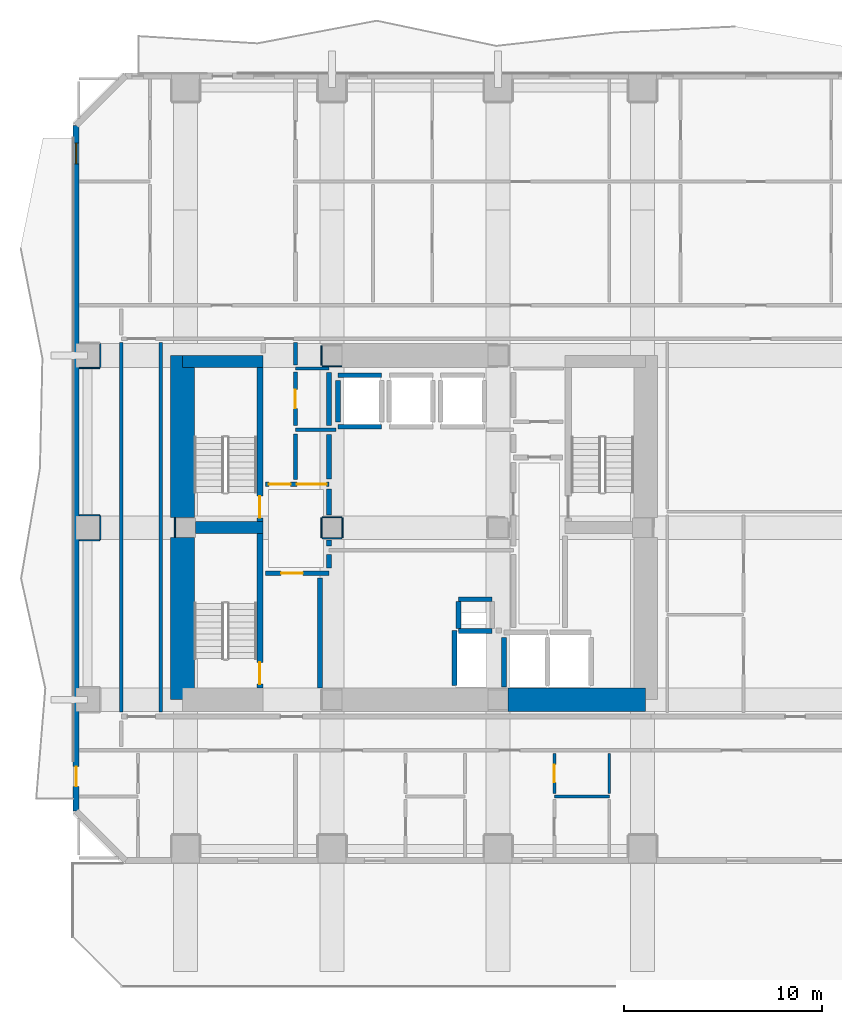
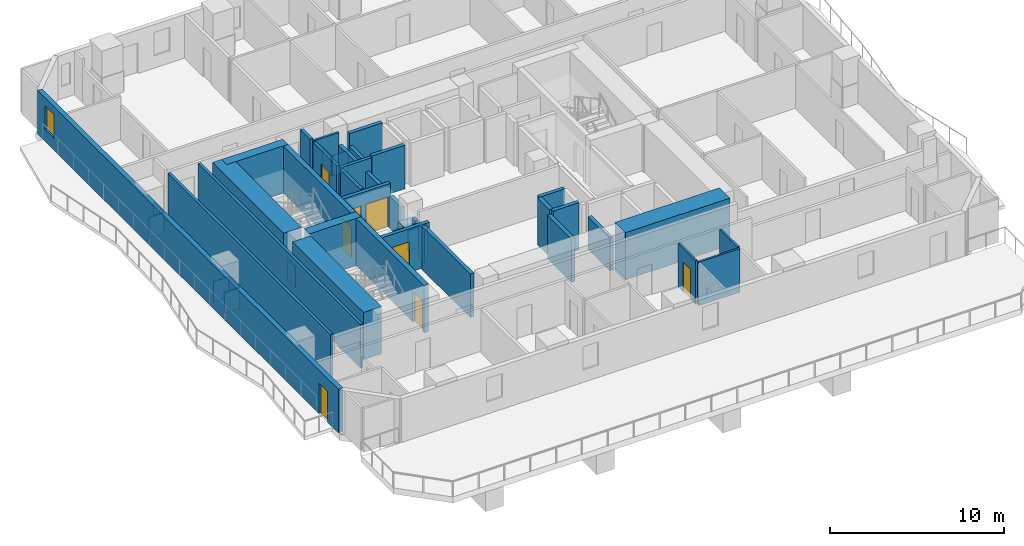
# One storey, part 3 of 11: 46 walls, 8 doors, 1 window, 9 openings.
"""IFC4 building model written with IfcOpenShell, lengths in metres."""

import ifcopenshell
import ifcopenshell.guid

model = None  # the IFC model being written
_history = None  # IfcOwnerHistory: only IFC2X3 demands one
_inside = {}  # id of a spatial element -> (the spatial element, [elements in it])
_under = {}  # id of a project, library or spatial element -> (it, [spatial elements below it])
_declared = {}  # id of a project -> (the project, [libraries it declares])
_typed = {}  # id of a type object -> (the type object, [elements of that type])
_made_of = {}  # id of a material, layer set ... -> (it, [elements and type objects made of it])


def new_model(schema):
    """Start an empty IFC model of exactly this schema.

    Asked for "IFC4X3", IfcOpenShell would pick the latest addendum, in which some entities
    have other attributes; the version numbers below select the first issue.
    IFC2X3 requires an IfcOwnerHistory on every rooted entity: one is made here for all.
    """
    global model, _history
    if schema == "IFC4X3":
        model = ifcopenshell.file(schema_version=(4, 3, 0, 0))
    else:
        model = ifcopenshell.file(schema=schema)
    _inside.clear()
    _under.clear()
    _declared.clear()
    _typed.clear()
    _made_of.clear()
    _history = None
    if model.schema == "IFC2X3":
        org = make("IfcOrganization", Name="unknown")
        user = make(
            "IfcPersonAndOrganization",
            ThePerson=make("IfcPerson", FamilyName="unknown"),
            TheOrganization=org,
        )
        app = make(
            "IfcApplication",
            ApplicationDeveloper=org,
            Version="unknown",
            ApplicationFullName="unknown",
            ApplicationIdentifier="unknown",
        )
        _history = make(
            "IfcOwnerHistory",
            OwningUser=user,
            OwningApplication=app,
            ChangeAction="ADDED",
            CreationDate=0,
        )
    return model


def make(cls, **values):
    """One entity of the class cls with the attributes given. An attribute that is None is left unset."""
    return model.create_entity(
        cls, **{name: value for name, value in values.items() if value is not None}
    )


def rooted(cls, **values):
    """An entity with a GlobalId (a new one), such as an element, a storey or a relation."""
    return make(cls, GlobalId=ifcopenshell.guid.new(), OwnerHistory=_history, **values)


def si_unit(unit_type, name, prefix=None):
    """IfcSIUnit, for example si_unit("LENGTHUNIT", "METRE", prefix="MILLI")."""
    return make("IfcSIUnit", UnitType=unit_type, Prefix=prefix, Name=name)


def assignment(units):
    """IfcUnitAssignment: the units of a project."""
    return None if units is None else make("IfcUnitAssignment", Units=units)


def point(xyz):
    """IfcCartesianPoint."""
    return None if xyz is None else make("IfcCartesianPoint", Coordinates=xyz)


def direction(xyz):
    """IfcDirection."""
    return None if xyz is None else make("IfcDirection", DirectionRatios=xyz)


def frame(location, z_axis=None, x_axis=None):
    """IfcAxis2Placement3D, a coordinate frame: its origin and axes. An axis left out is left unset."""
    return make(
        "IfcAxis2Placement3D",
        Location=point(location),
        Axis=direction(z_axis),
        RefDirection=direction(x_axis),
    )


def frame_2d(location, x_axis=None):
    """IfcAxis2Placement2D, a coordinate frame in the plane: its origin and x axis."""
    return make(
        "IfcAxis2Placement2D", Location=point(location), RefDirection=direction(x_axis)
    )


def origin():
    """The frame at (0, 0, 0) with its axes left unset."""
    return frame((0.0, 0.0, 0.0))


def place(relative_to, where):
    """IfcLocalPlacement: puts the frame where relative to a parent placement (None: the world)."""
    return make(
        "IfcLocalPlacement", PlacementRelTo=relative_to, RelativePlacement=where
    )


def context(
    kind, dimensions, precision=None, world=None, true_north=None, identifier=None
):
    """IfcGeometricRepresentationContext, for example the 3D "Model" context."""
    return make(
        "IfcGeometricRepresentationContext",
        ContextIdentifier=identifier,
        ContextType=kind,
        CoordinateSpaceDimension=dimensions,
        Precision=precision,
        WorldCoordinateSystem=world,
        TrueNorth=true_north,
    )


def subcontext(parent, identifier, kind, view, scale=None):
    """IfcGeometricRepresentationSubContext, for example "Body" below "Model"."""
    return make(
        "IfcGeometricRepresentationSubContext",
        ContextIdentifier=identifier,
        ContextType=kind,
        ParentContext=parent,
        TargetScale=scale,
        TargetView=view,
    )


def project(units=None, contexts=None):
    """IfcProject with its units and contexts."""
    return rooted(
        "IfcProject",
        Name="project",
        RepresentationContexts=contexts,
        UnitsInContext=assignment(units),
    )


def spatial(cls, under=None, at=None, **own):
    """A site, building, storey or space (cls), placed at a placement, below another one or the project."""
    s = rooted(cls, ObjectPlacement=at, **own)
    if under is not None:
        _under.setdefault(under.id(), (under, []))[1].append(s)
    return s


def profile(cls, at=None, kind="AREA", **sizes):
    """A parametric profile (cls). Its sizes go by their IFC names, for example OverallWidth=200.0."""
    return make(cls, ProfileType=kind, Position=at, **sizes)


def rectangle(**sizes):
    """IfcRectangleProfileDef."""
    return profile("IfcRectangleProfileDef", **sizes)


def extrude(swept, where, along, depth):
    """IfcExtrudedAreaSolid: the profile swept, set in the frame where, extruded along a direction by depth."""
    return make(
        "IfcExtrudedAreaSolid",
        SweptArea=swept,
        Position=where,
        ExtrudedDirection=direction(along),
        Depth=depth,
    )


def shape(context_of_items, identifier, shape_type, items):
    """IfcShapeRepresentation: the items that make up one representation, for example the "Body"."""
    return make(
        "IfcShapeRepresentation",
        ContextOfItems=context_of_items,
        RepresentationIdentifier=identifier,
        RepresentationType=shape_type,
        Items=items,
    )


def material(Name=None, Category=None):
    """IfcMaterial."""
    return make("IfcMaterial", Name=Name, Category=Category)


def layer(
    of_material, thickness, ventilated=None, Name=None, Category=None, Priority=None
):
    """IfcMaterialLayer: one layer of a wall or slab, of a material (None: an air gap)."""
    return make(
        "IfcMaterialLayer",
        Material=of_material,
        LayerThickness=thickness,
        IsVentilated=ventilated,
        Name=Name,
        Category=Category,
        Priority=Priority,
    )


def layer_set(layers, Name=None):
    """IfcMaterialLayerSet."""
    return make("IfcMaterialLayerSet", MaterialLayers=layers, LayerSetName=Name)


def made_of(thing, what):
    """Note that an element or type object is made of a material, layer set ...; save() writes the relation."""
    if what is not None:
        _made_of.setdefault(what.id(), (what, []))[1].append(thing)
    return thing


def type_object(cls, material=None, **own):
    """A type object (cls), such as IfcWallType, which elements share."""
    return made_of(rooted(cls, **own), material)


def element(
    cls,
    number,
    at=None,
    inside=None,
    cuts=None,
    type_object=None,
    material=None,
    context=None,
    identifier="Body",
    shape_type=None,
    held_by="IfcProductDefinitionShape",
    body=None,
    shapes=None,
    **own,
):
    """One element of the class cls, such as IfcWall. Its Tag is "e" and its number.

    at: its placement. inside: the storey or other place that contains it. cuts: it is an
    opening in that element (IfcRelVoidsElement). A single representation is given by context,
    identifier, shape_type and body (its items); several are given by shapes. held_by: the class
    of the entity that holds the representations. save() writes the other relations.
    """
    e = rooted(cls, Tag="e%d" % number, ObjectPlacement=at, **own)
    if body is not None:
        shapes = [shape(context, identifier, shape_type, body)]
    if shapes is not None:
        e.Representation = make(held_by, Representations=shapes)
    if inside is not None:
        _inside.setdefault(inside.id(), (inside, []))[1].append(e)
    if cuts is not None:
        rooted(
            "IfcRelVoidsElement", RelatingBuildingElement=cuts, RelatedOpeningElement=e
        )
    if type_object is not None:
        _typed.setdefault(type_object.id(), (type_object, []))[1].append(e)
    return made_of(e, material)


def fill(opening, filler):
    """IfcRelFillsElement: the door or window that sits in an opening."""
    return rooted(
        "IfcRelFillsElement",
        RelatingOpeningElement=opening,
        RelatedBuildingElement=filler,
    )


def aggregate(whole, parts):
    """IfcRelAggregates: a whole, such as a stair, and the parts it consists of."""
    return rooted("IfcRelAggregates", RelatingObject=whole, RelatedObjects=parts)


def save(model, path):
    """Write the relations noted so far, then the file.

    IfcRelAggregates (storeys below a building ...), IfcRelContainedInSpatialStructure (elements
    in a storey), IfcRelDefinesByType, IfcRelAssociatesMaterial and IfcRelDeclares: one each for
    every whole, place, type object, material and project.
    """
    for whole, parts in _under.values():
        aggregate(whole, parts)
    for where, things in _inside.values():
        rooted(
            "IfcRelContainedInSpatialStructure",
            RelatedElements=things,
            RelatingStructure=where,
        )
    for kind, things in _typed.values():
        rooted("IfcRelDefinesByType", RelatedObjects=things, RelatingType=kind)
    for what, things in _made_of.values():
        rooted("IfcRelAssociatesMaterial", RelatedObjects=things, RelatingMaterial=what)
    for by, libraries in _declared.values():
        rooted("IfcRelDeclares", RelatingContext=by, RelatedDefinitions=libraries)
    model.write(path)


model = new_model("IFC4")

# Units and contexts
model_context = context("Model", 3, precision=1e-05, world=origin(), true_north=direction((0.0, 1.0)))
body_context = subcontext(model_context, "Body", "Model", "MODEL_VIEW")
ifc_project = project(units=[si_unit("LENGTHUNIT", "METRE"), si_unit("AREAUNIT", "SQUARE_METRE"), si_unit("VOLUMEUNIT", "CUBIC_METRE"), si_unit("PLANEANGLEUNIT", "RADIAN"), si_unit("MASSUNIT", "GRAM", prefix="KILO")], contexts=[model_context])

# Site, building, storey
site_placement = place(None, origin())
site = spatial("IfcSite", under=ifc_project, at=site_placement, CompositionType="ELEMENT")
building_placement = place(site_placement, origin())
building = spatial("IfcBuilding", under=site, at=building_placement, Name="Solanera Arch Residences", CompositionType="ELEMENT")
storey_placement = place(building_placement, frame((0.0, 0.0, 61.840087890625)))
storey = spatial("IfcBuildingStorey", under=building, at=storey_placement, Name="L17", CompositionType="ELEMENT", Elevation=61.840087890625)

# Walls
ifc_material_1 = material(Name="Fire-Rated Gypsum Stud Partition", Category="gypsum")
ifc_layer_1 = layer(ifc_material_1, 0.06005859375)
ifc_layer_set_1 = layer_set([ifc_layer_1], Name="Fire-Rated Gypsum Stud Partition")
wall_type_1 = type_object("IfcWallType", Name="Column Acoustic Furring Wall 60", PredefinedType="PARTITIONING", material=ifc_layer_set_1)
wall_1_placement = place(storey_placement, frame((20.300048828125, 38.867919921875, 0.0), z_axis=(0.0, 0.0, 1.0), x_axis=(1.0, 0.0, 0.0)))
element("IfcWall", 1, at=wall_1_placement, inside=storey, type_object=wall_type_1, Name="L17 Column Furring 3S", PredefinedType="PARTITIONING", context=body_context, shape_type="SweptSolid", body=[
    extrude(rectangle(XDim=0.989990234375, YDim=0.06005859375, at=frame_2d((0.4951171875, 0.0))), origin(), (0.0, 0.0, 1.0), 1.449951171875),
])
wall_2_placement = place(storey_placement, frame((20.26806640625, 38.89990234375, 0.0), z_axis=(0.0, 0.0, 1.0), x_axis=(0.0, 1.0, 0.0)))
element("IfcWall", 2, at=wall_2_placement, inside=storey, type_object=wall_type_1, Name="L17 Column Furring 3W", PredefinedType="PARTITIONING", context=body_context, shape_type="SweptSolid", body=[
    extrude(rectangle(XDim=1.0, YDim=0.06005859375, at=frame_2d((0.5, 0.0))), origin(), (0.0, 0.0, 1.0), 1.449951171875),
])
wall_3_placement = place(storey_placement, frame((12.867919921875, 30.2099609375, 0.0), z_axis=(0.0, 0.0, 1.0), x_axis=(0.0, 1.0, 0.0)))
element("IfcWall", 3, at=wall_3_placement, inside=storey, type_object=wall_type_1, Name="L17 Column Furring 5W", PredefinedType="PARTITIONING", context=body_context, shape_type="SweptSolid", body=[
    extrude(rectangle(XDim=0.97998046875, YDim=0.06005859375, at=frame_2d((0.489990234375, 0.0))), origin(), (0.0, 0.0, 1.0), 1.449951171875),
])
for number, where, z_axis, x_axis, name in (
    (4, (20.300048828125, 30.16796875, 0.0), (0.0, 0.0, 1.0), (1.0, 0.0, 0.0), "L17 Column Furring 7S"),
    (5, (20.300048828125, 31.23193359375, 0.0), (0.0, 0.0, 1.0), (1.0, 0.0, 0.0), "L17 Column Furring 7N"),
    (6, (20.26806640625, 30.199951171875, 0.0), (0.0, 0.0, 1.0), (0.0, 1.0, 0.0), "L17 Column Furring 7W"),
    (7, (21.33203125, 30.199951171875, 0.0), (0.0, 0.0, 1.0), (0.0, 1.0, 0.0), "L17 Column Furring 7E"),
):
    element("IfcWall", number, at=place(storey_placement, frame(where, z_axis=z_axis, x_axis=x_axis)), inside=storey, type_object=wall_type_1, Name=name, PredefinedType="PARTITIONING", context=body_context, shape_type="SweptSolid", body=[
        extrude(rectangle(XDim=1.0, YDim=0.06005859375, at=frame_2d((0.5, 0.0))), origin(), (0.0, 0.0, 1.0), 1.449951171875),
    ])
for number, where, z_axis, x_axis, name in (
    (8, (8.030029296875, 30.068115234375, 0.0), (0.0, 0.0, 1.0), (1.0, 0.0, 0.0), "L17 Column Furring 19S"),
    (9, (8.030029296875, 31.33203125, 0.0), (0.0, 0.0, 1.0), (1.0, 0.0, 0.0), "L17 Column Furring 19N"),
):
    element("IfcWall", number, at=place(storey_placement, frame(where, z_axis=z_axis, x_axis=x_axis)), inside=storey, type_object=wall_type_1, Name=name, PredefinedType="PARTITIONING", context=body_context, shape_type="SweptSolid", body=[
        extrude(rectangle(XDim=1.02001953125, YDim=0.06005859375, at=frame_2d((0.510009765625, 0.0))), origin(), (0.0, 0.0, 1.0), 1.449951171875),
    ])
wall_4_placement = place(storey_placement, frame((9.08203125, 30.10009765625, 0.0), z_axis=(0.0, 0.0, 1.0), x_axis=(0.0, 1.0, 0.0)))
element("IfcWall", 10, at=wall_4_placement, inside=storey, type_object=wall_type_1, Name="L17 Column Furring 19E", PredefinedType="PARTITIONING", context=body_context, shape_type="SweptSolid", body=[
    extrude(rectangle(XDim=1.199951171875, YDim=0.06005859375, at=frame_2d((0.60009765625, 0.0))), origin(), (0.0, 0.0, 1.0), 1.449951171875),
])
wall_5_placement = place(storey_placement, frame((8.030029296875, 38.76806640625, 0.0), z_axis=(0.0, 0.0, 1.0), x_axis=(1.0, 0.0, 0.0)))
element("IfcWall", 11, at=wall_5_placement, inside=storey, type_object=wall_type_1, Name="L17 Column Furring 21S", PredefinedType="PARTITIONING", context=body_context, shape_type="SweptSolid", body=[
    extrude(rectangle(XDim=1.02001953125, YDim=0.06005859375, at=frame_2d((0.510009765625, 0.0))), origin(), (0.0, 0.0, 1.0), 1.449951171875),
])
wall_6_placement = place(storey_placement, frame((9.08203125, 38.800048828125, 0.0), z_axis=(0.0, 0.0, 1.0), x_axis=(0.0, 1.0, 0.0)))
element("IfcWall", 12, at=wall_6_placement, inside=storey, type_object=wall_type_1, Name="L17 Column Furring 21E", PredefinedType="PARTITIONING", context=body_context, shape_type="SweptSolid", body=[
    extrude(rectangle(XDim=1.199951171875, YDim=0.06005859375, at=frame_2d((0.60009765625, 0.0))), origin(), (0.0, 0.0, 1.0), 1.449951171875),
])
ifc_material_2 = material(Name="Concrete C55/67 (f'c = 60 MPa)", Category="concrete")
ifc_layer_2 = layer(ifc_material_2, 1.199951171875)
ifc_layer_set_2 = layer_set([ifc_layer_2], Name="Concrete C55/67 (f'c = 60 MPa)")
wall_type_2 = type_object("IfcWallType", Name="Core Shear Wall CW-1200", PredefinedType="SHEAR", material=ifc_layer_set_2)
wall_7_placement = place(storey_placement, frame((13.239990234375, 22.0, 0.0), z_axis=(0.0, 0.0, 1.0), x_axis=(0.0, 1.0, 0.0)))
element("IfcWall", 13, at=wall_7_placement, inside=storey, type_object=wall_type_2, Name="L17 West Core South Shear Wall", PredefinedType="SHEAR", context=body_context, shape_type="SweptSolid", body=[
    extrude(rectangle(XDim=8.195068359375, YDim=1.199951171875, at=frame_2d((4.09765625, 0.0))), origin(), (0.0, 0.0, 1.0), 3.31982421875),
])
wall_8_placement = place(storey_placement, frame((13.239990234375, 31.205078125, 0.0), z_axis=(0.0, 0.0, 1.0), x_axis=(0.0, 1.0, 0.0)))
element("IfcWall", 14, at=wall_8_placement, inside=storey, type_object=wall_type_2, Name="L17 West Core North Shear Wall", PredefinedType="SHEAR", context=body_context, shape_type="SweptSolid", body=[
    extrude(rectangle(XDim=8.19482421875, YDim=1.199951171875, at=frame_2d((4.097412109375, 0.0))), origin(), (0.0, 0.0, 1.0), 3.31982421875),
])
wall_9_placement = place(storey_placement, frame((29.705078125, 22.0, 0.0), z_axis=(0.0, 0.0, 1.0), x_axis=(1.0, 0.0, 0.0)))
element("IfcWall", 15, at=wall_9_placement, inside=storey, type_object=wall_type_2, Name="L17 South-East Core Shear Wall", PredefinedType="SHEAR", context=body_context, shape_type="SweptSolid", body=[
    extrude(rectangle(XDim=6.954833984375, YDim=1.199951171875, at=frame_2d((3.4775390625, 0.0))), origin(), (0.0, 0.0, 1.0), 3.31982421875),
])

# Wall, opening, door
ifc_material_3 = material(Name="Concrete C40/50 (f'c = 45 MPa)", Category="concrete")
ifc_layer_3 = layer(ifc_material_3, 0.320068359375)
ifc_layer_set_3 = layer_set([ifc_layer_3], Name="Concrete C40/50 (f'c = 45 MPa)")
wall_type_3 = type_object("IfcWallType", Name="Core Shear Wall CW-320", PredefinedType="SHEAR", material=ifc_layer_set_3)
wall_10_placement = place(storey_placement, frame((17.159912109375, 31.0, 0.0), z_axis=(0.0, 0.0, 1.0), x_axis=(0.0, 1.0, 0.0)))
wall_10 = element("IfcWall", 16, at=wall_10_placement, inside=storey, type_object=wall_type_3, Name="L17 Stair ST-T1 East Shear Wall", PredefinedType="SHEAR", context=body_context, shape_type="SweptSolid", body=[
    extrude(rectangle(XDim=7.800048828125, YDim=0.320068359375, at=frame_2d((3.89990234375, 0.0))), origin(), (0.0, 0.0, 1.0), 3.31982421875),
])
opening_1_placement = place(wall_10_placement, frame((0.18994140625, 0.0, 0.0)))
opening_1 = element("IfcOpeningElement", 17, at=opening_1_placement, cuts=wall_10, Name="Opening DF-01", PredefinedType="OPENING", context=body_context, shape_type="SweptSolid", body=[
    extrude(rectangle(XDim=1.10009765625, YDim=2.14990234375, at=frame_2d((0.550048828125, 1.074951171875))), frame((0.0, 0.169921875, 0.0), z_axis=(0.0, -1.0, 0.0), x_axis=(1.0, 0.0, 0.0)), (0.0, 0.0, 1.0), 0.3401),
])
ifc_material_4 = material(Name="Fire-Rated Architectural Hardwood", Category="wood")
door_type_1 = type_object("IfcDoorType", Name="Stair Exit Fire Door DF-01", OperationType="NOTDEFINED", PredefinedType="DOOR", material=ifc_material_4)
door_1_placement = place(opening_1_placement, origin())
door_1 = element("IfcDoor", 18, at=door_1_placement, inside=storey, type_object=door_type_1, Name="DR-L17-STAIR-ST-T1", OperationType="SINGLE_SWING_LEFT", OverallHeight=2.14990234375, OverallWidth=1.10009765625, PredefinedType="DOOR", context=body_context, shape_type="SweptSolid", body=[
    extrude(rectangle(XDim=1.10009765625, YDim=2.14990234375, at=frame_2d((0.550048828125, 1.074951171875))), frame((0.0, 0.02490234375, 0.0), z_axis=(0.0, -1.0, 0.0), x_axis=(1.0, 0.0, 0.0)), (0.0, 0.0, 1.0), 0.050048828125),
])
fill(opening_1, door_1)

wall_11_placement = place(storey_placement, frame((17.159912109375, 22.60009765625, 0.0), z_axis=(0.0, 0.0, 1.0), x_axis=(0.0, 1.0, 0.0)))
wall_11 = element("IfcWall", 19, at=wall_11_placement, inside=storey, type_object=wall_type_3, Name="L17 Stair ST-T3 East Shear Wall", PredefinedType="SHEAR", context=body_context, shape_type="SweptSolid", body=[
    extrude(rectangle(XDim=7.7998046875, YDim=0.320068359375, at=frame_2d((3.89990234375, 0.0))), origin(), (0.0, 0.0, 1.0), 3.31982421875),
])
opening_2_placement = place(wall_11_placement, frame((0.18994140625, 0.0, 0.0)))
opening_2 = element("IfcOpeningElement", 20, at=opening_2_placement, cuts=wall_11, Name="Opening DF-01", PredefinedType="OPENING", context=body_context, shape_type="SweptSolid", body=[
    extrude(rectangle(XDim=1.10009765625, YDim=2.14990234375, at=frame_2d((0.550048828125, 1.074951171875))), frame((0.0, 0.169921875, 0.0), z_axis=(0.0, -1.0, 0.0), x_axis=(1.0, 0.0, 0.0)), (0.0, 0.0, 1.0), 0.3401),
])
door_2_placement = place(opening_2_placement, origin())
door_2 = element("IfcDoor", 21, at=door_2_placement, inside=storey, type_object=door_type_1, Name="DR-L17-STAIR-ST-T3", OperationType="SINGLE_SWING_LEFT", OverallHeight=2.14990234375, OverallWidth=1.10009765625, PredefinedType="DOOR", context=body_context, shape_type="SweptSolid", body=[
    extrude(rectangle(XDim=1.10009765625, YDim=2.14990234375, at=frame_2d((0.550048828125, 1.074951171875))), frame((0.0, 0.02490234375, 0.0), z_axis=(0.0, -1.0, 0.0), x_axis=(1.0, 0.0, 0.0)), (0.0, 0.0, 1.0), 0.050048828125),
])
fill(opening_2, door_2)

# Walls
ifc_material_5 = material(Name="Concrete C40/50 (f'c = 45 MPa)", Category="concrete")
ifc_layer_4 = layer(ifc_material_5, 0.60009765625)
ifc_layer_set_4 = layer_set([ifc_layer_4], Name="Concrete C40/50 (f'c = 45 MPa)")
wall_type_4 = type_object("IfcWallType", Name="Core Shear Wall CW-600", PredefinedType="SHEAR", material=ifc_layer_set_4)
wall_12_placement = place(storey_placement, frame((13.239990234375, 39.10009765625, 0.0), z_axis=(0.0, 0.0, 1.0), x_axis=(1.0, 0.0, 0.0)))
element("IfcWall", 22, at=wall_12_placement, inside=storey, type_object=wall_type_4, Name="L17 North-West Core Shear Wall", PredefinedType="SHEAR", context=body_context, shape_type="SweptSolid", body=[
    extrude(rectangle(XDim=4.080078125, YDim=0.60009765625, at=frame_2d((2.0400390625, 0.0))), origin(), (0.0, 0.0, 1.0), 3.31982421875),
])
wall_13_placement = place(storey_placement, frame((13.905029296875, 30.699951171875, 0.0), z_axis=(0.0, 0.0, 1.0), x_axis=(1.0, 0.0, 0.0)))
element("IfcWall", 23, at=wall_13_placement, inside=storey, type_object=wall_type_4, Name="L17 West Stair Divider Shear Wall", PredefinedType="SHEAR", context=body_context, shape_type="SweptSolid", body=[
    extrude(rectangle(XDim=3.4150390625, YDim=0.60009765625, at=frame_2d((1.70751953125, 0.0))), origin(), (0.0, 0.0, 1.0), 3.31982421875),
])
ifc_material_6 = material(Name="Autoclaved Aerated Concrete Blockwork", Category="masonry")
ifc_layer_5 = layer(ifc_material_6, 0.179931640625)
ifc_layer_set_5 = layer_set([ifc_layer_5], Name="Autoclaved Aerated Concrete Blockwork")
wall_type_5 = type_object("IfcWallType", Name="Corridor Fire Partition 180", PredefinedType="PARTITIONING", material=ifc_layer_set_5)
for number, where, z_axis, x_axis, name in (
    (24, (10.14990234375, 21.367919921875, 0.0), (0.0, 0.0, 1.0), (0.0, 1.0, 0.0), "L17 Interior Partition V9 2"),
    (25, (12.14990234375, 21.367919921875, 0.0), (0.0, 0.0, 1.0), (0.0, 1.0, 0.0), "L17 Interior Partition V10"),
):
    element("IfcWall", number, at=place(storey_placement, frame(where, z_axis=z_axis, x_axis=x_axis)), inside=storey, type_object=wall_type_5, Name=name, PredefinedType="PARTITIONING", context=body_context, shape_type="SweptSolid", body=[
        extrude(rectangle(XDim=18.694091796875, YDim=0.179931640625, at=frame_2d((9.34716796875, 0.0))), origin(), (0.0, 0.0, 1.0), 3.059814453125),
    ])

# Wall, openings, door, window
ifc_material_7 = material(Name="Precast Concrete C35/45", Category="concrete")
ifc_layer_6 = layer(ifc_material_7, 0.300048828125)
ifc_layer_set_6 = layer_set([ifc_layer_6], Name="Precast Concrete C35/45")
wall_type_6 = type_object("IfcWallType", Name="Exterior Wall Precast Masonry-Frame 300", PredefinedType="STANDARD", material=ifc_layer_set_6)
wall_14_placement = place(storey_placement, frame((7.864990234375, 16.364990234375, 0.0), z_axis=(0.0, 0.0, 1.0), x_axis=(0.0, 1.0, 0.0)))
wall_14 = element("IfcWall", 26, at=wall_14_placement, inside=storey, type_object=wall_type_6, Name="L17 Tower Exterior Precast Masonry-Frame Wall W", PredefinedType="STANDARD", context=body_context, shape_type="SweptSolid", body=[
    extrude(rectangle(XDim=34.669921875, YDim=0.300048828125, at=frame_2d((17.3349609375, 0.0))), origin(), (0.0, 0.0, 1.0), 3.059814453125),
])
opening_3_placement = place(wall_14_placement, frame((1.2509765625, 0.0, 0.0)))
opening_3 = element("IfcOpeningElement", 27, at=opening_3_placement, cuts=wall_14, Name="Opening DB-01", PredefinedType="OPENING", context=body_context, shape_type="SweptSolid", body=[
    extrude(rectangle(XDim=1.0, YDim=2.14990234375, at=frame_2d((0.5, 1.074951171875))), frame((0.0, 0.159912109375, 0.0), z_axis=(0.0, -1.0, 0.0), x_axis=(1.0, 0.0, 0.0)), (0.0, 0.0, 1.0), 0.32),
])
opening_4_placement = place(wall_14_placement, frame((32.73291015625, 0.0, 0.85009765625)))
opening_4 = element("IfcOpeningElement", 28, at=opening_4_placement, cuts=wall_14, Name="Opening W-07", PredefinedType="OPENING", context=body_context, shape_type="SweptSolid", body=[
    extrude(rectangle(XDim=1.050048828125, YDim=1.64990234375, at=frame_2d((0.52490234375, 0.824951171875))), frame((0.0, 0.159912109375, 0.0), z_axis=(0.0, -1.0, 0.0), x_axis=(1.0, 0.0, 0.0)), (0.0, 0.0, 1.0), 0.32),
])
ifc_material_8 = material(Name="Anodised Aluminium Alloy 6063-T6", Category="aluminium")
door_type_2 = type_object("IfcDoorType", Name="Glazed Balcony Swing Door DB-01", OperationType="NOTDEFINED", PredefinedType="DOOR", material=ifc_material_8)
door_3_placement = place(opening_3_placement, origin())
door_3 = element("IfcDoor", 29, at=door_3_placement, inside=storey, type_object=door_type_2, Name="DR-L17-OUT-04", OperationType="SINGLE_SWING_RIGHT", OverallHeight=2.14990234375, OverallWidth=1.0, PredefinedType="DOOR", context=body_context, shape_type="SweptSolid", body=[
    extrude(rectangle(XDim=1.0, YDim=2.14990234375, at=frame_2d((0.5, 1.074951171875))), frame((0.0, 0.02490234375, 0.0), z_axis=(0.0, -1.0, 0.0), x_axis=(1.0, 0.0, 0.0)), (0.0, 0.0, 1.0), 0.050048828125),
])
fill(opening_3, door_3)
ifc_material_9 = material(Name="Double Glazed Low-E Laminated Glass", Category="glass")
window_type = type_object("IfcWindowType", Name="Punched Window W-07", PartitioningType="SINGLE_PANEL", PredefinedType="WINDOW", material=ifc_material_9)
window_placement = place(opening_4_placement, origin())
window = element("IfcWindow", 30, at=window_placement, inside=storey, type_object=window_type, Name="L17 1705-BR1 Punched Window", OverallHeight=1.64990234375, OverallWidth=1.050048828125, PartitioningType="SINGLE_PANEL", PredefinedType="WINDOW", context=body_context, shape_type="SweptSolid", body=[
    extrude(rectangle(XDim=1.050048828125, YDim=1.64990234375, at=frame_2d((0.52490234375, 0.824951171875))), frame((0.0, 0.030029296875, 0.0), z_axis=(0.0, -1.0, 0.0), x_axis=(1.0, 0.0, 0.0)), (0.0, 0.0, 1.0), 0.06005859375),
])
fill(opening_4, window)

# Walls
ifc_material_10 = material(Name="Autoclaved Aerated Concrete Blockwork", Category="masonry")
ifc_layer_7 = layer(ifc_material_10, 0.199951171875)
ifc_layer_set_7 = layer_set([ifc_layer_7], Name="Autoclaved Aerated Concrete Blockwork")
wall_type_7 = type_object("IfcWallType", Name="Party Wall Acoustic 200", PredefinedType="PARTITIONING", material=ifc_layer_set_7)
wall_15_placement = place(storey_placement, frame((18.949951171875, 35.64990234375, 0.0), z_axis=(0.0, 0.0, 1.0), x_axis=(1.0, 0.0, 0.0)))
element("IfcWall", 31, at=wall_15_placement, inside=storey, type_object=wall_type_7, Name="L17 Interior Partition H6 1", PredefinedType="PARTITIONING", context=body_context, shape_type="SweptSolid", body=[
    extrude(rectangle(XDim=2.046142578125, YDim=0.199951171875, at=frame_2d((1.02294921875, 0.0))), origin(), (0.0, 0.0, 1.0), 3.059814453125),
])
wall_16_placement = place(storey_placement, frame((18.949951171875, 33.1279296875, 0.0), z_axis=(0.0, 0.0, 1.0), x_axis=(0.0, 1.0, 0.0)))
element("IfcWall", 32, at=wall_16_placement, inside=storey, type_object=wall_type_7, Name="L17 Interior Partition V7 1", PredefinedType="PARTITIONING", context=body_context, shape_type="SweptSolid", body=[
    extrude(rectangle(XDim=2.31396484375, YDim=0.199951171875, at=frame_2d((1.156982421875, 0.0))), origin(), (0.0, 0.0, 1.0), 3.059814453125),
])

# Wall, opening, door
wall_17_placement = place(storey_placement, frame((18.949951171875, 35.85791015625, 0.0), z_axis=(0.0, 0.0, 1.0), x_axis=(0.0, 1.0, 0.0)))
wall_17 = element("IfcWall", 33, at=wall_17_placement, inside=storey, type_object=wall_type_7, Name="L17 Interior Partition V7 2", PredefinedType="PARTITIONING", context=body_context, shape_type="SweptSolid", body=[
    extrude(rectangle(XDim=2.714111328125, YDim=0.199951171875, at=frame_2d((1.35693359375, 0.0))), origin(), (0.0, 0.0, 1.0), 3.059814453125),
])
opening_5_placement = place(wall_17_placement, frame((0.866943359375, 0.0, 0.0)))
opening_5 = element("IfcOpeningElement", 34, at=opening_5_placement, cuts=wall_17, Name="Opening DI-04", PredefinedType="OPENING", context=body_context, shape_type="SweptSolid", body=[
    extrude(rectangle(XDim=0.949951171875, YDim=2.10009765625, at=frame_2d((0.47509765625, 1.050048828125))), frame((0.0, 0.110107421875, 0.0), z_axis=(0.0, -1.0, 0.0), x_axis=(1.0, 0.0, 0.0)), (0.0, 0.0, 1.0), 0.22),
])
ifc_material_11 = material(Name="Fire-Rated Architectural Hardwood", Category="wood")
door_type_3 = type_object("IfcDoorType", Name="Accessible Restroom Door DI-04", OperationType="NOTDEFINED", PredefinedType="DOOR", material=ifc_material_11)
door_4_placement = place(opening_5_placement, origin())
door_4 = element("IfcDoor", 35, at=door_4_placement, inside=storey, type_object=door_type_3, Name="DR-L17-IN-014", OperationType="SINGLE_SWING_RIGHT", OverallHeight=2.10009765625, OverallWidth=0.949951171875, PredefinedType="DOOR", context=body_context, shape_type="SweptSolid", body=[
    extrude(rectangle(XDim=0.949951171875, YDim=2.10009765625, at=frame_2d((0.47509765625, 1.050048828125))), frame((0.0, 0.02490234375, 0.0), z_axis=(0.0, -1.0, 0.0), x_axis=(1.0, 0.0, 0.0)), (0.0, 0.0, 1.0), 0.050048828125),
])
fill(opening_5, door_4)

# Walls
wall_18_placement = place(storey_placement, frame((18.949951171875, 38.927978515625, 0.0), z_axis=(0.0, 0.0, 1.0), x_axis=(0.0, 1.0, 0.0)))
element("IfcWall", 36, at=wall_18_placement, inside=storey, type_object=wall_type_7, Name="L17 Interior Partition V7 3", PredefinedType="PARTITIONING", context=body_context, shape_type="SweptSolid", body=[
    extrude(rectangle(XDim=1.1240234375, YDim=0.199951171875, at=frame_2d((0.56201171875, 0.0))), origin(), (0.0, 0.0, 1.0), 3.059814453125),
])
ifc_material_12 = material(Name="Concrete C40/50 (f'c = 45 MPa)", Category="concrete")
ifc_layer_8 = layer(ifc_material_12, 0.239990234375)
ifc_layer_set_8 = layer_set([ifc_layer_8], Name="Concrete C40/50 (f'c = 45 MPa)")
wall_type_8 = type_object("IfcWallType", Name="Ramp Bearing Shear Wall RW-240", PredefinedType="SHEAR", material=ifc_layer_set_8)
for number, where, z_axis, x_axis, name in (
    (37, (27.199951171875, 25.47998046875, 0.0), (0.0, 0.0, 1.0), (1.0, 0.0, 0.0), "L17 Core MEP Riser South Shaft Wall"),
    (38, (27.199951171875, 27.080078125, 0.0), (0.0, 0.0, 1.0), (1.0, 0.0, 0.0), "L17 Core MEP Riser North Shaft Wall"),
):
    element("IfcWall", number, at=place(storey_placement, frame(where, z_axis=z_axis, x_axis=x_axis)), inside=storey, type_object=wall_type_8, Name=name, PredefinedType="SHEAR", context=body_context, shape_type="SweptSolid", body=[
        extrude(rectangle(XDim=1.699951171875, YDim=0.239990234375, at=frame_2d((0.85009765625, 0.0))), origin(), (0.0, 0.0, 1.0), 3.31982421875),
    ])
wall_19_placement = place(storey_placement, frame((27.199951171875, 25.60009765625, 0.0), z_axis=(0.0, 0.0, 1.0), x_axis=(0.0, 1.0, 0.0)))
element("IfcWall", 39, at=wall_19_placement, inside=storey, type_object=wall_type_8, Name="L17 Core MEP Riser West Shaft Wall", PredefinedType="SHEAR", context=body_context, shape_type="SweptSolid", body=[
    extrude(rectangle(XDim=1.35986328125, YDim=0.239990234375, at=frame_2d((0.679931640625, 0.0))), origin(), (0.0, 0.0, 1.0), 3.31982421875),
])
ifc_material_13 = material(Name="Autoclaved Aerated Concrete Blockwork", Category="masonry")
ifc_layer_9 = layer(ifc_material_13, 0.239990234375)
ifc_layer_set_9 = layer_set([ifc_layer_9], Name="Autoclaved Aerated Concrete Blockwork")
wall_type_9 = type_object("IfcWallType", Name="Shaft Wall Fire-Rated 240", PredefinedType="PARTITIONING", material=ifc_layer_set_9)
for number, where, z_axis, x_axis, name in (
    (40, (21.10009765625, 35.800048828125, 0.0), (0.0, 0.0, 1.0), (1.0, 0.0, 0.0), "L17 Lift PL-L1 Hoistway Wall S"),
    (41, (21.10009765625, 38.39990234375, 0.0), (0.0, 0.0, 1.0), (1.0, 0.0, 0.0), "L17 Lift PL-L1 Hoistway Wall N"),
):
    element("IfcWall", number, at=place(storey_placement, frame(where, z_axis=z_axis, x_axis=x_axis)), inside=storey, type_object=wall_type_9, Name=name, PredefinedType="PARTITIONING", context=body_context, shape_type="SweptSolid", body=[
        extrude(rectangle(XDim=2.199951171875, YDim=0.239990234375, at=frame_2d((1.10009765625, 0.0))), origin(), (0.0, 0.0, 1.0), 3.059814453125),
    ])
wall_20_placement = place(storey_placement, frame((21.10009765625, 36.048095703125, 0.0), z_axis=(0.0, 0.0, 1.0), x_axis=(0.0, 1.0, 0.0)))
element("IfcWall", 42, at=wall_20_placement, inside=storey, type_object=wall_type_9, Name="L17 Lift PL-L1 Hoistway Wall W", PredefinedType="PARTITIONING", context=body_context, shape_type="SweptSolid", body=[
    extrude(rectangle(XDim=2.10400390625, YDim=0.239990234375, at=frame_2d((1.052001953125, 0.0))), origin(), (0.0, 0.0, 1.0), 2.294921875),
])
wall_21_placement = place(storey_placement, frame((29.5, 22.632080078125, 0.0), z_axis=(0.0, 0.0, 1.0), x_axis=(0.0, 1.0, 0.0)))
element("IfcWall", 43, at=wall_21_placement, inside=storey, type_object=wall_type_9, Name="L17 Lift FFL-1 Hoistway Wall W", PredefinedType="PARTITIONING", context=body_context, shape_type="SweptSolid", body=[
    extrude(rectangle(XDim=2.52001953125, YDim=0.239990234375, at=frame_2d((1.260009765625, 0.0))), origin(), (0.0, 0.0, 1.0), 2.294921875),
])
wall_22_placement = place(storey_placement, frame((27.0, 22.72998046875, 0.0), z_axis=(0.0, 0.0, 1.0), x_axis=(0.0, 1.0, 0.0)))
element("IfcWall", 44, at=wall_22_placement, inside=storey, type_object=wall_type_9, Name="L17 Lift SVL-1 Hoistway Wall W", PredefinedType="PARTITIONING", context=body_context, shape_type="SweptSolid", body=[
    extrude(rectangle(XDim=2.76806640625, YDim=0.239990234375, at=frame_2d((1.384033203125, 0.0))), origin(), (0.0, 0.0, 1.0), 3.059814453125),
])

# Wall, opening, door
wall_23_placement = place(storey_placement, frame((17.449951171875, 28.39990234375, 0.0), z_axis=(0.0, 0.0, 1.0), x_axis=(1.0, 0.0, 0.0)))
wall_23 = element("IfcWall", 45, at=wall_23_placement, inside=storey, type_object=wall_type_9, Name="L17 Interior Partition H3", PredefinedType="PARTITIONING", context=body_context, shape_type="SweptSolid", body=[
    extrude(rectangle(XDim=3.199951171875, YDim=0.239990234375, at=frame_2d((1.60009765625, 0.0))), origin(), (0.0, 0.0, 1.0), 3.059814453125),
])
opening_6_placement = place(wall_23_placement, frame((0.783935546875, 0.0, 0.0)))
opening_6 = element("IfcOpeningElement", 46, at=opening_6_placement, cuts=wall_23, Name="Opening DF-02", PredefinedType="OPENING", context=body_context, shape_type="SweptSolid", body=[
    extrude(rectangle(XDim=1.10009765625, YDim=2.14990234375, at=frame_2d((0.550048828125, 1.074951171875))), frame((0.0, 0.1298828125, 0.0), z_axis=(0.0, -1.0, 0.0), x_axis=(1.0, 0.0, 0.0)), (0.0, 0.0, 1.0), 0.26),
])
ifc_material_14 = material(Name="Fire-Rated Architectural Hardwood", Category="wood")
door_type_4 = type_object("IfcDoorType", Name="Firefighting Lobby Fire Door DF-02", OperationType="NOTDEFINED", PredefinedType="DOOR", material=ifc_material_14)
door_5_placement = place(opening_6_placement, origin())
door_5 = element("IfcDoor", 47, at=door_5_placement, inside=storey, type_object=door_type_4, Name="DR-L17-IN-004", OperationType="SINGLE_SWING_RIGHT", OverallHeight=2.14990234375, OverallWidth=1.10009765625, PredefinedType="DOOR", context=body_context, shape_type="SweptSolid", body=[
    extrude(rectangle(XDim=1.10009765625, YDim=2.14990234375, at=frame_2d((0.550048828125, 1.074951171875))), frame((0.0, 0.02490234375, 0.0), z_axis=(0.0, -1.0, 0.0), x_axis=(1.0, 0.0, 0.0)), (0.0, 0.0, 1.0), 0.050048828125),
])
fill(opening_6, door_5)

# Wall, openings, doors
wall_24_placement = place(storey_placement, frame((17.449951171875, 32.89990234375, 0.0), z_axis=(0.0, 0.0, 1.0), x_axis=(1.0, 0.0, 0.0)))
wall_24 = element("IfcWall", 48, at=wall_24_placement, inside=storey, type_object=wall_type_9, Name="L17 Interior Partition H4", PredefinedType="PARTITIONING", context=body_context, shape_type="SweptSolid", body=[
    extrude(rectangle(XDim=3.199951171875, YDim=0.239990234375, at=frame_2d((1.60009765625, 0.0))), origin(), (0.0, 0.0, 1.0), 3.059814453125),
])
opening_7_placement = place(wall_24_placement, frame((0.158935546875, 0.0, 0.0)))
opening_7 = element("IfcOpeningElement", 49, at=opening_7_placement, cuts=wall_24, Name="Opening DF-02", PredefinedType="OPENING", context=body_context, shape_type="SweptSolid", body=[
    extrude(rectangle(XDim=1.10009765625, YDim=2.14990234375, at=frame_2d((0.550048828125, 1.074951171875))), frame((0.0, 0.1298828125, 0.0), z_axis=(0.0, -1.0, 0.0), x_axis=(1.0, 0.0, 0.0)), (0.0, 0.0, 1.0), 0.26),
])
opening_8_placement = place(wall_24_placement, frame((1.575927734375, 0.0, 0.0)))
opening_8 = element("IfcOpeningElement", 50, at=opening_8_placement, cuts=wall_24, Name="Opening DP-01", PredefinedType="OPENING", context=body_context, shape_type="SweptSolid", body=[
    extrude(rectangle(XDim=1.5, YDim=2.14990234375, at=frame_2d((0.75, 1.074951171875))), frame((0.0, 0.1298828125, 0.0), z_axis=(0.0, -1.0, 0.0), x_axis=(1.0, 0.0, 0.0)), (0.0, 0.0, 1.0), 0.26),
])
door_6_placement = place(opening_7_placement, origin())
door_6 = element("IfcDoor", 51, at=door_6_placement, inside=storey, type_object=door_type_4, Name="DR-L17-IN-005", OperationType="SINGLE_SWING_LEFT", OverallHeight=2.14990234375, OverallWidth=1.10009765625, PredefinedType="DOOR", context=body_context, shape_type="SweptSolid", body=[
    extrude(rectangle(XDim=1.10009765625, YDim=2.14990234375, at=frame_2d((0.550048828125, 1.074951171875))), frame((0.0, 0.02490234375, 0.0), z_axis=(0.0, -1.0, 0.0), x_axis=(1.0, 0.0, 0.0)), (0.0, 0.0, 1.0), 0.050048828125),
])
fill(opening_7, door_6)
ifc_material_15 = material(Name="Fire-Rated Architectural Hardwood", Category="wood")
door_type_5 = type_object("IfcDoorType", Name="Plant Double Fire Door DP-01", OperationType="NOTDEFINED", PredefinedType="DOOR", material=ifc_material_15)
door_7_placement = place(opening_8_placement, origin())
door_7 = element("IfcDoor", 52, at=door_7_placement, inside=storey, type_object=door_type_5, Name="DR-L17-IN-012", OperationType="SINGLE_SWING_RIGHT", OverallHeight=2.14990234375, OverallWidth=1.5, PredefinedType="DOOR", context=body_context, shape_type="SweptSolid", body=[
    extrude(rectangle(XDim=1.5, YDim=2.14990234375, at=frame_2d((0.75, 1.074951171875))), frame((0.0, 0.02490234375, 0.0), z_axis=(0.0, -1.0, 0.0), x_axis=(1.0, 0.0, 0.0)), (0.0, 0.0, 1.0), 0.050048828125),
])
fill(opening_8, door_7)

# Walls
wall_25_placement = place(storey_placement, frame((20.199951171875, 22.5859375, 0.0), z_axis=(0.0, 0.0, 1.0), x_axis=(0.0, 1.0, 0.0)))
element("IfcWall", 53, at=wall_25_placement, inside=storey, type_object=wall_type_9, Name="L17 Interior Partition V2", PredefinedType="PARTITIONING", context=body_context, shape_type="SweptSolid", body=[
    extrude(rectangle(XDim=5.566162109375, YDim=0.239990234375, at=frame_2d((2.783203125, 0.0))), origin(), (0.0, 0.0, 1.0), 3.059814453125),
])
wall_26_placement = place(storey_placement, frame((20.64990234375, 28.64794921875, 0.0), z_axis=(0.0, 0.0, 1.0), x_axis=(0.0, 1.0, 0.0)))
element("IfcWall", 54, at=wall_26_placement, inside=storey, type_object=wall_type_9, Name="L17 Interior Partition V3 1", PredefinedType="PARTITIONING", context=body_context, shape_type="SweptSolid", body=[
    extrude(rectangle(XDim=0.68408203125, YDim=0.239990234375, at=frame_2d((0.342041015625, 0.0))), origin(), (0.0, 0.0, 1.0), 2.294921875),
])
wall_27_placement = place(storey_placement, frame((20.64990234375, 29.76806640625, 0.0), z_axis=(0.0, 0.0, 1.0), x_axis=(0.0, 1.0, 0.0)))
element("IfcWall", 55, at=wall_27_placement, inside=storey, type_object=wall_type_9, Name="L17 Interior Partition V3 2", PredefinedType="PARTITIONING", context=body_context, shape_type="SweptSolid", body=[
    extrude(rectangle(XDim=0.300048828125, YDim=0.239990234375, at=frame_2d((0.14990234375, 0.0))), origin(), (0.0, 0.0, 1.0), 2.294921875),
])
wall_28_placement = place(storey_placement, frame((20.64990234375, 31.33203125, 0.0), z_axis=(0.0, 0.0, 1.0), x_axis=(0.0, 1.0, 0.0)))
element("IfcWall", 56, at=wall_28_placement, inside=storey, type_object=wall_type_9, Name="L17 Interior Partition V3 3", PredefinedType="PARTITIONING", context=body_context, shape_type="SweptSolid", body=[
    extrude(rectangle(XDim=1.320068359375, YDim=0.239990234375, at=frame_2d((0.66015625, 0.0))), origin(), (0.0, 0.0, 1.0), 2.294921875),
])
wall_29_placement = place(storey_placement, frame((20.64990234375, 33.14794921875, 0.0), z_axis=(0.0, 0.0, 1.0), x_axis=(0.0, 1.0, 0.0)))
element("IfcWall", 57, at=wall_29_placement, inside=storey, type_object=wall_type_9, Name="L17 Interior Partition V3 4", PredefinedType="PARTITIONING", context=body_context, shape_type="SweptSolid", body=[
    extrude(rectangle(XDim=2.274169921875, YDim=0.239990234375, at=frame_2d((1.13720703125, 0.0))), origin(), (0.0, 0.0, 1.0), 2.294921875),
])
wall_30_placement = place(storey_placement, frame((20.64990234375, 35.8779296875, 0.0), z_axis=(0.0, 0.0, 1.0), x_axis=(0.0, 1.0, 0.0)))
element("IfcWall", 58, at=wall_30_placement, inside=storey, type_object=wall_type_9, Name="L17 Interior Partition V3 5", PredefinedType="PARTITIONING", context=body_context, shape_type="SweptSolid", body=[
    extrude(rectangle(XDim=2.674072265625, YDim=0.239990234375, at=frame_2d((1.3369140625, 0.0))), origin(), (0.0, 0.0, 1.0), 2.294921875),
])
ifc_material_16 = material(Name="Autoclaved Aerated Concrete Blockwork", Category="masonry")
ifc_layer_10 = layer(ifc_material_16, 0.139892578125)
ifc_layer_set_10 = layer_set([ifc_layer_10], Name="Autoclaved Aerated Concrete Blockwork")
wall_type_10 = type_object("IfcWallType", Name="Wet-Room Partition 140", PredefinedType="PARTITIONING", material=ifc_layer_set_10)
wall_31_placement = place(storey_placement, frame((32.0458984375, 17.10693359375, 0.0), z_axis=(0.0, 0.0, 1.0), x_axis=(1.0, 0.0, 0.0)))
element("IfcWall", 59, at=wall_31_placement, inside=storey, type_object=wall_type_10, Name="L17 Interior Partition H15", PredefinedType="PARTITIONING", context=body_context, shape_type="SweptSolid", body=[
    extrude(rectangle(XDim=2.774169921875, YDim=0.139892578125, at=frame_2d((1.38720703125, 0.0))), origin(), (0.0, 0.0, 1.0), 3.059814453125),
])
wall_32_placement = place(storey_placement, frame((18.949951171875, 38.75, 0.0), z_axis=(0.0, 0.0, 1.0), x_axis=(1.0, 0.0, 0.0)))
element("IfcWall", 60, at=wall_32_placement, inside=storey, type_object=wall_type_10, Name="L17 Interior Partition H20", PredefinedType="PARTITIONING", context=body_context, shape_type="SweptSolid", body=[
    extrude(rectangle(XDim=1.699951171875, YDim=0.139892578125, at=frame_2d((0.85009765625, 0.0))), origin(), (0.0, 0.0, 1.0), 3.059814453125),
])

# Wall, opening, door
wall_33_placement = place(storey_placement, frame((32.0458984375, 17.2548828125, 0.0), z_axis=(0.0, 0.0, 1.0), x_axis=(0.0, 1.0, 0.0)))
wall_33 = element("IfcWall", 61, at=wall_33_placement, inside=storey, type_object=wall_type_10, Name="L17 Interior Partition V20 2", PredefinedType="PARTITIONING", context=body_context, shape_type="SweptSolid", body=[
    extrude(rectangle(XDim=2.027099609375, YDim=0.139892578125, at=frame_2d((1.013671875, 0.0))), origin(), (0.0, 0.0, 1.0), 3.059814453125),
])
opening_9_placement = place(wall_33_placement, frame((0.56103515625, 0.0, 0.0)))
opening_9 = element("IfcOpeningElement", 62, at=opening_9_placement, cuts=wall_33, Name="Opening DI-02", PredefinedType="OPENING", context=body_context, shape_type="SweptSolid", body=[
    extrude(rectangle(XDim=0.89990234375, YDim=2.10009765625, at=frame_2d((0.449951171875, 1.050048828125))), frame((0.0, 0.079833984375, 0.0), z_axis=(0.0, -1.0, 0.0), x_axis=(1.0, 0.0, 0.0)), (0.0, 0.0, 1.0), 0.1599),
])
ifc_material_17 = material(Name="Fire-Rated Architectural Hardwood", Category="wood")
door_type_6 = type_object("IfcDoorType", Name="Suite Room Swing Door DI-02", OperationType="NOTDEFINED", PredefinedType="DOOR", material=ifc_material_17)
door_8_placement = place(opening_9_placement, origin())
door_8 = element("IfcDoor", 63, at=door_8_placement, inside=storey, type_object=door_type_6, Name="DR-L17-IN-022", OperationType="SINGLE_SWING_RIGHT", OverallHeight=2.10009765625, OverallWidth=0.89990234375, PredefinedType="DOOR", context=body_context, shape_type="SweptSolid", body=[
    extrude(rectangle(XDim=0.89990234375, YDim=2.10009765625, at=frame_2d((0.449951171875, 1.050048828125))), frame((0.0, 0.02490234375, 0.0), z_axis=(0.0, -1.0, 0.0), x_axis=(1.0, 0.0, 0.0)), (0.0, 0.0, 1.0), 0.050048828125),
])
fill(opening_9, door_8)

# Wall
wall_34_placement = place(storey_placement, frame((34.820068359375, 17.2548828125, 0.0), z_axis=(0.0, 0.0, 1.0), x_axis=(0.0, 1.0, 0.0)))
element("IfcWall", 64, at=wall_34_placement, inside=storey, type_object=wall_type_10, Name="L17 Interior Partition V21 2", PredefinedType="PARTITIONING", context=body_context, shape_type="SweptSolid", body=[
    extrude(rectangle(XDim=2.027099609375, YDim=0.139892578125, at=frame_2d((1.013671875, 0.0))), origin(), (0.0, 0.0, 1.0), 3.059814453125),
])

save(model, "model.ifc")
